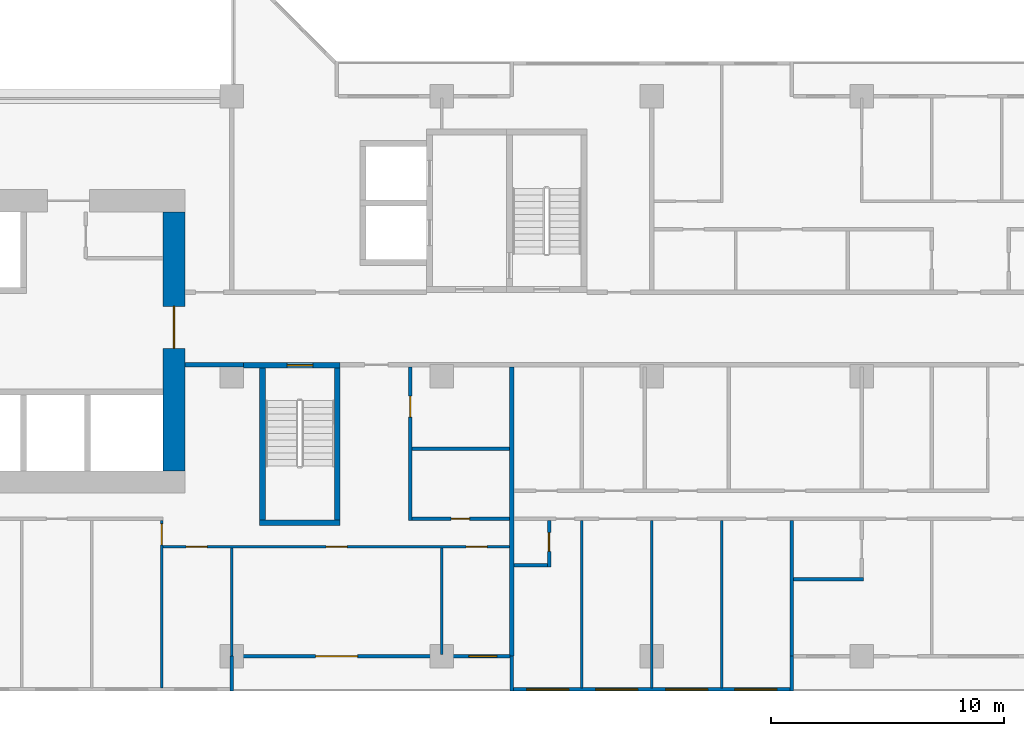
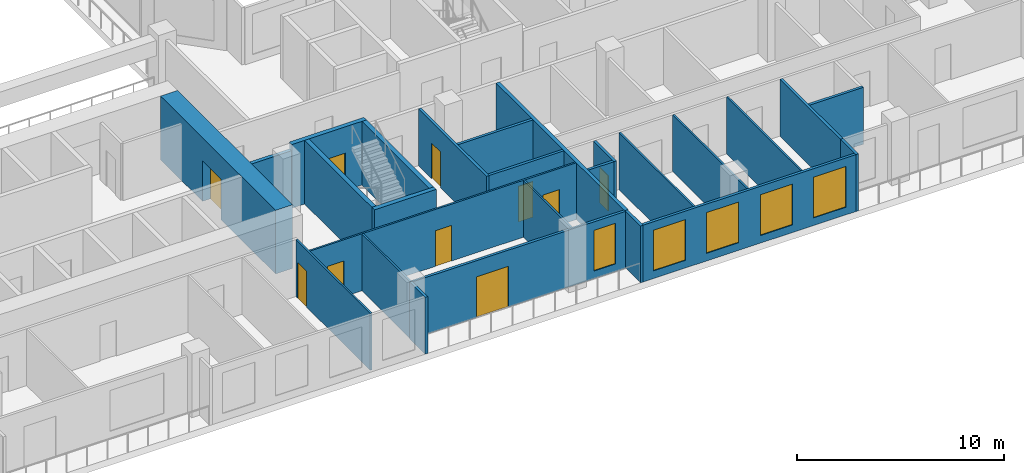
# One storey, part 6 of 15: 26 walls, 10 doors, 5 windows, 15 openings.
"""IFC4 building model written with IfcOpenShell, lengths in metres."""

import ifcopenshell
import ifcopenshell.guid

model = None  # the IFC model being written
_history = None  # IfcOwnerHistory: only IFC2X3 demands one
_inside = {}  # id of a spatial element -> (the spatial element, [elements in it])
_under = {}  # id of a project, library or spatial element -> (it, [spatial elements below it])
_declared = {}  # id of a project -> (the project, [libraries it declares])
_typed = {}  # id of a type object -> (the type object, [elements of that type])
_made_of = {}  # id of a material, layer set ... -> (it, [elements and type objects made of it])


def new_model(schema):
    """Start an empty IFC model of exactly this schema.

    Asked for "IFC4X3", IfcOpenShell would pick the latest addendum, in which some entities
    have other attributes; the version numbers below select the first issue.
    IFC2X3 requires an IfcOwnerHistory on every rooted entity: one is made here for all.
    """
    global model, _history
    if schema == "IFC4X3":
        model = ifcopenshell.file(schema_version=(4, 3, 0, 0))
    else:
        model = ifcopenshell.file(schema=schema)
    _inside.clear()
    _under.clear()
    _declared.clear()
    _typed.clear()
    _made_of.clear()
    _history = None
    if model.schema == "IFC2X3":
        org = make("IfcOrganization", Name="unknown")
        user = make(
            "IfcPersonAndOrganization",
            ThePerson=make("IfcPerson", FamilyName="unknown"),
            TheOrganization=org,
        )
        app = make(
            "IfcApplication",
            ApplicationDeveloper=org,
            Version="unknown",
            ApplicationFullName="unknown",
            ApplicationIdentifier="unknown",
        )
        _history = make(
            "IfcOwnerHistory",
            OwningUser=user,
            OwningApplication=app,
            ChangeAction="ADDED",
            CreationDate=0,
        )
    return model


def make(cls, **values):
    """One entity of the class cls with the attributes given. An attribute that is None is left unset."""
    return model.create_entity(
        cls, **{name: value for name, value in values.items() if value is not None}
    )


def rooted(cls, **values):
    """An entity with a GlobalId (a new one), such as an element, a storey or a relation."""
    return make(cls, GlobalId=ifcopenshell.guid.new(), OwnerHistory=_history, **values)


def si_unit(unit_type, name, prefix=None):
    """IfcSIUnit, for example si_unit("LENGTHUNIT", "METRE", prefix="MILLI")."""
    return make("IfcSIUnit", UnitType=unit_type, Prefix=prefix, Name=name)


def assignment(units):
    """IfcUnitAssignment: the units of a project."""
    return None if units is None else make("IfcUnitAssignment", Units=units)


def point(xyz):
    """IfcCartesianPoint."""
    return None if xyz is None else make("IfcCartesianPoint", Coordinates=xyz)


def direction(xyz):
    """IfcDirection."""
    return None if xyz is None else make("IfcDirection", DirectionRatios=xyz)


def frame(location, z_axis=None, x_axis=None):
    """IfcAxis2Placement3D, a coordinate frame: its origin and axes. An axis left out is left unset."""
    return make(
        "IfcAxis2Placement3D",
        Location=point(location),
        Axis=direction(z_axis),
        RefDirection=direction(x_axis),
    )


def frame_2d(location, x_axis=None):
    """IfcAxis2Placement2D, a coordinate frame in the plane: its origin and x axis."""
    return make(
        "IfcAxis2Placement2D", Location=point(location), RefDirection=direction(x_axis)
    )


def origin():
    """The frame at (0, 0, 0) with its axes left unset."""
    return frame((0.0, 0.0, 0.0))


def place(relative_to, where):
    """IfcLocalPlacement: puts the frame where relative to a parent placement (None: the world)."""
    return make(
        "IfcLocalPlacement", PlacementRelTo=relative_to, RelativePlacement=where
    )


def context(
    kind, dimensions, precision=None, world=None, true_north=None, identifier=None
):
    """IfcGeometricRepresentationContext, for example the 3D "Model" context."""
    return make(
        "IfcGeometricRepresentationContext",
        ContextIdentifier=identifier,
        ContextType=kind,
        CoordinateSpaceDimension=dimensions,
        Precision=precision,
        WorldCoordinateSystem=world,
        TrueNorth=true_north,
    )


def subcontext(parent, identifier, kind, view, scale=None):
    """IfcGeometricRepresentationSubContext, for example "Body" below "Model"."""
    return make(
        "IfcGeometricRepresentationSubContext",
        ContextIdentifier=identifier,
        ContextType=kind,
        ParentContext=parent,
        TargetScale=scale,
        TargetView=view,
    )


def project(units=None, contexts=None):
    """IfcProject with its units and contexts."""
    return rooted(
        "IfcProject",
        Name="project",
        RepresentationContexts=contexts,
        UnitsInContext=assignment(units),
    )


def spatial(cls, under=None, at=None, **own):
    """A site, building, storey or space (cls), placed at a placement, below another one or the project."""
    s = rooted(cls, ObjectPlacement=at, **own)
    if under is not None:
        _under.setdefault(under.id(), (under, []))[1].append(s)
    return s


def profile(cls, at=None, kind="AREA", **sizes):
    """A parametric profile (cls). Its sizes go by their IFC names, for example OverallWidth=200.0."""
    return make(cls, ProfileType=kind, Position=at, **sizes)


def rectangle(**sizes):
    """IfcRectangleProfileDef."""
    return profile("IfcRectangleProfileDef", **sizes)


def extrude(swept, where, along, depth):
    """IfcExtrudedAreaSolid: the profile swept, set in the frame where, extruded along a direction by depth."""
    return make(
        "IfcExtrudedAreaSolid",
        SweptArea=swept,
        Position=where,
        ExtrudedDirection=direction(along),
        Depth=depth,
    )


def shape(context_of_items, identifier, shape_type, items):
    """IfcShapeRepresentation: the items that make up one representation, for example the "Body"."""
    return make(
        "IfcShapeRepresentation",
        ContextOfItems=context_of_items,
        RepresentationIdentifier=identifier,
        RepresentationType=shape_type,
        Items=items,
    )


def material(Name=None, Category=None):
    """IfcMaterial."""
    return make("IfcMaterial", Name=Name, Category=Category)


def layer(
    of_material, thickness, ventilated=None, Name=None, Category=None, Priority=None
):
    """IfcMaterialLayer: one layer of a wall or slab, of a material (None: an air gap)."""
    return make(
        "IfcMaterialLayer",
        Material=of_material,
        LayerThickness=thickness,
        IsVentilated=ventilated,
        Name=Name,
        Category=Category,
        Priority=Priority,
    )


def layer_set(layers, Name=None):
    """IfcMaterialLayerSet."""
    return make("IfcMaterialLayerSet", MaterialLayers=layers, LayerSetName=Name)


def made_of(thing, what):
    """Note that an element or type object is made of a material, layer set ...; save() writes the relation."""
    if what is not None:
        _made_of.setdefault(what.id(), (what, []))[1].append(thing)
    return thing


def type_object(cls, material=None, **own):
    """A type object (cls), such as IfcWallType, which elements share."""
    return made_of(rooted(cls, **own), material)


def element(
    cls,
    number,
    at=None,
    inside=None,
    cuts=None,
    type_object=None,
    material=None,
    context=None,
    identifier="Body",
    shape_type=None,
    held_by="IfcProductDefinitionShape",
    body=None,
    shapes=None,
    **own,
):
    """One element of the class cls, such as IfcWall. Its Tag is "e" and its number.

    at: its placement. inside: the storey or other place that contains it. cuts: it is an
    opening in that element (IfcRelVoidsElement). A single representation is given by context,
    identifier, shape_type and body (its items); several are given by shapes. held_by: the class
    of the entity that holds the representations. save() writes the other relations.
    """
    e = rooted(cls, Tag="e%d" % number, ObjectPlacement=at, **own)
    if body is not None:
        shapes = [shape(context, identifier, shape_type, body)]
    if shapes is not None:
        e.Representation = make(held_by, Representations=shapes)
    if inside is not None:
        _inside.setdefault(inside.id(), (inside, []))[1].append(e)
    if cuts is not None:
        rooted(
            "IfcRelVoidsElement", RelatingBuildingElement=cuts, RelatedOpeningElement=e
        )
    if type_object is not None:
        _typed.setdefault(type_object.id(), (type_object, []))[1].append(e)
    return made_of(e, material)


def fill(opening, filler):
    """IfcRelFillsElement: the door or window that sits in an opening."""
    return rooted(
        "IfcRelFillsElement",
        RelatingOpeningElement=opening,
        RelatedBuildingElement=filler,
    )


def aggregate(whole, parts):
    """IfcRelAggregates: a whole, such as a stair, and the parts it consists of."""
    return rooted("IfcRelAggregates", RelatingObject=whole, RelatedObjects=parts)


def save(model, path):
    """Write the relations noted so far, then the file.

    IfcRelAggregates (storeys below a building ...), IfcRelContainedInSpatialStructure (elements
    in a storey), IfcRelDefinesByType, IfcRelAssociatesMaterial and IfcRelDeclares: one each for
    every whole, place, type object, material and project.
    """
    for whole, parts in _under.values():
        aggregate(whole, parts)
    for where, things in _inside.values():
        rooted(
            "IfcRelContainedInSpatialStructure",
            RelatedElements=things,
            RelatingStructure=where,
        )
    for kind, things in _typed.values():
        rooted("IfcRelDefinesByType", RelatedObjects=things, RelatingType=kind)
    for what, things in _made_of.values():
        rooted("IfcRelAssociatesMaterial", RelatedObjects=things, RelatingMaterial=what)
    for by, libraries in _declared.values():
        rooted("IfcRelDeclares", RelatingContext=by, RelatedDefinitions=libraries)
    model.write(path)


model = new_model("IFC4")

# Units and contexts
model_context = context("Model", 3, precision=1e-05, world=origin(), true_north=direction((0.0, 1.0)))
body_context = subcontext(model_context, "Body", "Model", "MODEL_VIEW")
ifc_project = project(units=[si_unit("LENGTHUNIT", "METRE"), si_unit("AREAUNIT", "SQUARE_METRE"), si_unit("VOLUMEUNIT", "CUBIC_METRE"), si_unit("PLANEANGLEUNIT", "RADIAN"), si_unit("MASSUNIT", "GRAM", prefix="KILO")], contexts=[model_context])

# Site, building, storey
site_placement = place(None, origin())
site = spatial("IfcSite", under=ifc_project, at=site_placement, CompositionType="ELEMENT")
building_placement = place(site_placement, origin())
building = spatial("IfcBuilding", under=site, at=building_placement, Name="Chenar Terraces", CompositionType="ELEMENT")
storey_placement = place(building_placement, frame((0.0, 0.0, 133.14990234375)))
storey = spatial("IfcBuildingStorey", under=building, at=storey_placement, Name="L31", CompositionType="ELEMENT", Elevation=133.14990234375)

# Wall
ifc_material_1 = material(Name="Concrete C70/85", Category="concrete")
ifc_layer_1 = layer(ifc_material_1, 0.25)
ifc_layer_set_1 = layer_set([ifc_layer_1], Name="Concrete C70/85")
wall_type_1 = type_object("IfcWallType", Name="Core wall 250 Concrete C70/85", PredefinedType="SHEAR", material=ifc_layer_set_1)
wall_1_placement = place(storey_placement, frame((37.199951171875, 5.72509765625, 0.0), z_axis=(0.0, 0.0, 1.0), x_axis=(1.0, 0.0, 0.0)))
element("IfcWall", 1, at=wall_1_placement, inside=storey, type_object=wall_type_1, Name="Core wall ST2_S L31", PredefinedType="SHEAR", context=body_context, shape_type="SweptSolid", body=[
    extrude(rectangle(XDim=3.449951171875, YDim=0.25, at=frame_2d((1.72509765625, 0.0))), origin(), (0.0, 0.0, 1.0), 3.75),
])

# Wall, opening, door
wall_2_placement = place(storey_placement, frame((36.5, 12.47509765625, 0.0), z_axis=(0.0, 0.0, 1.0), x_axis=(1.0, 0.0, 0.0)))
wall_2 = element("IfcWall", 2, at=wall_2_placement, inside=storey, type_object=wall_type_1, Name="Core wall ST2_N L31", PredefinedType="SHEAR", context=body_context, shape_type="SweptSolid", body=[
    extrude(rectangle(XDim=4.14990234375, YDim=0.25, at=frame_2d((2.074951171875, 0.0))), origin(), (0.0, 0.0, 1.0), 3.75),
])
opening_1_placement = place(wall_2_placement, frame((1.875, 0.0, 0.0)))
opening_1 = element("IfcOpeningElement", 3, at=opening_1_placement, cuts=wall_2, Name="Opening DL31-C7", PredefinedType="OPENING", context=body_context, shape_type="SweptSolid", body=[
    extrude(rectangle(XDim=1.10009765625, YDim=2.199951171875, at=frame_2d((0.550048828125, 1.10009765625))), frame((0.0, 0.135009765625, 0.0), z_axis=(0.0, -1.0, 0.0), x_axis=(1.0, 0.0, 0.0)), (0.0, 0.0, 1.0), 0.27001953125),
])
ifc_material_2 = material(Name="Steel-framed fire-resisting door leaf", Category="steel")
door_type_1 = type_object("IfcDoorType", Name="Stair fire door FD60 1100 x 2200", OperationType="SINGLE_SWING_LEFT", PredefinedType="DOOR", material=ifc_material_2)
door_1_placement = place(opening_1_placement, frame((1.10009765625, 0.0, 0.0), z_axis=(0.0, 0.0, 1.0), x_axis=(-1.0, 0.0, 0.0)))
door_1 = element("IfcDoor", 4, at=door_1_placement, inside=storey, type_object=door_type_1, Name="Stair door DL31-C7", OperationType="SINGLE_SWING_RIGHT", OverallHeight=2.199951171875, OverallWidth=1.10009765625, PredefinedType="DOOR", context=body_context, shape_type="SweptSolid", body=[
    extrude(rectangle(XDim=1.10009765625, YDim=2.199951171875, at=frame_2d((0.550048828125, 1.10009765625))), frame((0.0, 0.02490234375, 0.0), z_axis=(0.0, -1.0, 0.0), x_axis=(1.0, 0.0, 0.0)), (0.0, 0.0, 1.0), 0.050048828125),
])
fill(opening_1, door_1)

# Walls
for number, where, z_axis, x_axis, name in (
    (5, (37.324951171875, 5.85009765625, 0.0), (0.0, 0.0, 1.0), (0.0, 1.0, 0.0), "Core wall ST2_W L31"),
    (6, (40.52490234375, 5.85009765625, 0.0), (0.0, 0.0, 1.0), (0.0, 1.0, 0.0), "Core wall ST2_E L31"),
):
    element("IfcWall", number, at=place(storey_placement, frame(where, z_axis=z_axis, x_axis=x_axis)), inside=storey, type_object=wall_type_1, Name=name, PredefinedType="SHEAR", context=body_context, shape_type="SweptSolid", body=[
        extrude(rectangle(XDim=6.5, YDim=0.25, at=frame_2d((3.25, 0.0))), origin(), (0.0, 0.0, 1.0), 3.75),
    ])

# Wall, opening, door
ifc_material_3 = material(Name="Concrete C70/85", Category="concrete")
ifc_layer_2 = layer(ifc_material_3, 0.949951171875)
ifc_layer_set_2 = layer_set([ifc_layer_2], Name="Concrete C70/85")
wall_type_2 = type_object("IfcWallType", Name="Core wall 950 Concrete C70/85", PredefinedType="SHEAR", material=ifc_layer_set_2)
wall_3_placement = place(storey_placement, frame((33.52490234375, 7.949951171875, 0.0), z_axis=(0.0, 0.0, 1.0), x_axis=(0.0, 1.0, 0.0)))
wall_3 = element("IfcWall", 7, at=wall_3_placement, inside=storey, type_object=wall_type_2, Name="Core wall E L31", PredefinedType="SHEAR", context=body_context, shape_type="SweptSolid", body=[
    extrude(rectangle(XDim=11.10009765625, YDim=0.949951171875, at=frame_2d((5.550048828125, 0.0))), origin(), (0.0, 0.0, 1.0), 3.75),
])
opening_2_placement = place(wall_3_placement, frame((5.25, 0.0, 0.0)))
opening_2 = element("IfcOpeningElement", 8, at=opening_2_placement, cuts=wall_3, Name="Opening DL31-C1", PredefinedType="OPENING", context=body_context, shape_type="SweptSolid", body=[
    extrude(rectangle(XDim=1.800048828125, YDim=2.39990234375, at=frame_2d((0.89990234375, 1.199951171875))), frame((0.0, 0.48486328125, 0.0), z_axis=(0.0, -1.0, 0.0), x_axis=(1.0, 0.0, 0.0)), (0.0, 0.0, 1.0), 0.969970703125),
])
ifc_material_4 = material(Name="Steel-framed fire-resisting door leaf", Category="steel")
door_type_2 = type_object("IfcDoorType", Name="Core entrance double fire door FD60 1800 x 2400", OperationType="DOUBLE_DOOR_SINGLE_SWING", PredefinedType="DOOR", material=ifc_material_4)
door_2_placement = place(opening_2_placement, origin())
door_2 = element("IfcDoor", 9, at=door_2_placement, inside=storey, type_object=door_type_2, Name="Core door DL31-C1", OperationType="DOUBLE_DOOR_SINGLE_SWING", OverallHeight=2.39990234375, OverallWidth=1.800048828125, PredefinedType="DOOR", context=body_context, shape_type="SweptSolid", body=[
    extrude(rectangle(XDim=1.800048828125, YDim=2.39990234375, at=frame_2d((0.89990234375, 1.199951171875))), frame((0.0, 0.02490234375, 0.0), z_axis=(0.0, -1.0, 0.0), x_axis=(1.0, 0.0, 0.0)), (0.0, 0.0, 1.0), 0.050048828125),
])
fill(opening_2, door_2)

# Wall
ifc_material_5 = material(Name="Gypsum board on steel studs with fire boards", Category="steel")
ifc_layer_3 = layer(ifc_material_5, 0.199951171875)
ifc_layer_set_3 = layer_set([ifc_layer_3], Name="Gypsum board on steel studs with fire boards")
wall_type_3 = type_object("IfcWallType", Name="Corridor wall 200", PredefinedType="PARTITIONING", material=ifc_layer_set_3)
wall_4_placement = place(storey_placement, frame((34.0, 12.5, 0.0), z_axis=(0.0, 0.0, 1.0), x_axis=(1.0, 0.0, 0.0)))
element("IfcWall", 10, at=wall_4_placement, inside=storey, type_object=wall_type_3, Name="Partition L31-062", PredefinedType="PARTITIONING", context=body_context, shape_type="SweptSolid", body=[
    extrude(rectangle(XDim=2.5009765625, YDim=0.199951171875, at=frame_2d((1.25048828125, 0.0))), origin(), (0.0, 0.0, 1.0), 3.35009765625),
])

# Wall, openings, windows
ifc_material_6 = material(Name="Aluminium framed glazing", Category="aluminium")
ifc_layer_4 = layer(ifc_material_6, 0.14990234375)
ifc_layer_set_4 = layer_set([ifc_layer_4], Name="Aluminium framed glazing")
wall_type_4 = type_object("IfcWallType", Name="Glazed flush facade wall 150", PredefinedType="SOLIDWALL", material=ifc_layer_set_4)
wall_5_placement = place(storey_placement, frame((48.074951171875, -1.425048828125, 0.0), z_axis=(0.0, 0.0, 1.0), x_axis=(1.0, 0.0, 0.0)))
wall_5 = element("IfcWall", 11, at=wall_5_placement, inside=storey, type_object=wall_type_4, Name="Glazed flush facade wall", PredefinedType="SOLIDWALL", context=body_context, shape_type="SweptSolid", body=[
    extrude(rectangle(XDim=11.85009765625, YDim=0.14990234375, at=frame_2d((5.925048828125, 0.0))), origin(), (0.0, 0.0, 1.0), 3.35009765625),
])
opening_3_placement = place(wall_5_placement, frame((0.5625, 0.0, 0.449951171875)))
opening_3 = element("IfcOpeningElement", 12, at=opening_3_placement, cuts=wall_5, Name="Opening W180x240", PredefinedType="OPENING", context=body_context, shape_type="SweptSolid", body=[
    extrude(rectangle(XDim=1.800048828125, YDim=2.39990234375, at=frame_2d((0.89990234375, 1.199951171875))), frame((0.0, 0.0849609375, 0.0), z_axis=(0.0, -1.0, 0.0), x_axis=(1.0, 0.0, 0.0)), (0.0, 0.0, 1.0), 0.169921875),
])
opening_4_placement = place(wall_5_placement, frame((3.52490234375, 0.0, 0.449951171875)))
opening_4 = element("IfcOpeningElement", 13, at=opening_4_placement, cuts=wall_5, Name="Opening W180x240", PredefinedType="OPENING", context=body_context, shape_type="SweptSolid", body=[
    extrude(rectangle(XDim=1.800048828125, YDim=2.39990234375, at=frame_2d((0.89990234375, 1.199951171875))), frame((0.0, 0.0849609375, 0.0), z_axis=(0.0, -1.0, 0.0), x_axis=(1.0, 0.0, 0.0)), (0.0, 0.0, 1.0), 0.169921875),
])
opening_5_placement = place(wall_5_placement, frame((6.52490234375, 0.0, 0.449951171875)))
opening_5 = element("IfcOpeningElement", 14, at=opening_5_placement, cuts=wall_5, Name="Opening W180x240", PredefinedType="OPENING", context=body_context, shape_type="SweptSolid", body=[
    extrude(rectangle(XDim=1.800048828125, YDim=2.39990234375, at=frame_2d((0.89990234375, 1.199951171875))), frame((0.0, 0.0849609375, 0.0), z_axis=(0.0, -1.0, 0.0), x_axis=(1.0, 0.0, 0.0)), (0.0, 0.0, 1.0), 0.169921875),
])
opening_6_placement = place(wall_5_placement, frame((9.487548828125, 0.0, 0.449951171875)))
opening_6 = element("IfcOpeningElement", 15, at=opening_6_placement, cuts=wall_5, Name="Opening W180x240", PredefinedType="OPENING", context=body_context, shape_type="SweptSolid", body=[
    extrude(rectangle(XDim=1.800048828125, YDim=2.39990234375, at=frame_2d((0.89990234375, 1.199951171875))), frame((0.0, 0.0849609375, 0.0), z_axis=(0.0, -1.0, 0.0), x_axis=(1.0, 0.0, 0.0)), (0.0, 0.0, 1.0), 0.169921875),
])
ifc_material_7 = material(Name="Low emissivity double glazing, aluminium frame", Category="aluminium")
window_type_1 = type_object("IfcWindowType", Name="Fixed light 1800 x 2400", PartitioningType="SINGLE_PANEL", PredefinedType="WINDOW", material=ifc_material_7)
window_1_placement = place(opening_3_placement, origin())
window_1 = element("IfcWindow", 16, at=window_1_placement, inside=storey, type_object=window_type_1, Name="Window", OverallHeight=2.39990234375, OverallWidth=1.800048828125, PartitioningType="SINGLE_PANEL", PredefinedType="WINDOW", context=body_context, shape_type="SweptSolid", body=[
    extrude(rectangle(XDim=1.800048828125, YDim=2.39990234375, at=frame_2d((0.89990234375, 1.199951171875))), frame((0.0, 0.030029296875, 0.0), z_axis=(0.0, -1.0, 0.0), x_axis=(1.0, 0.0, 0.0)), (0.0, 0.0, 1.0), 0.06005859375),
])
fill(opening_3, window_1)
window_2_placement = place(opening_4_placement, origin())
window_2 = element("IfcWindow", 17, at=window_2_placement, inside=storey, type_object=window_type_1, Name="Window", OverallHeight=2.39990234375, OverallWidth=1.800048828125, PartitioningType="SINGLE_PANEL", PredefinedType="WINDOW", context=body_context, shape_type="SweptSolid", body=[
    extrude(rectangle(XDim=1.800048828125, YDim=2.39990234375, at=frame_2d((0.89990234375, 1.199951171875))), frame((0.0, 0.030029296875, 0.0), z_axis=(0.0, -1.0, 0.0), x_axis=(1.0, 0.0, 0.0)), (0.0, 0.0, 1.0), 0.06005859375),
])
fill(opening_4, window_2)
window_3_placement = place(opening_5_placement, origin())
window_3 = element("IfcWindow", 18, at=window_3_placement, inside=storey, type_object=window_type_1, Name="Window", OverallHeight=2.39990234375, OverallWidth=1.800048828125, PartitioningType="SINGLE_PANEL", PredefinedType="WINDOW", context=body_context, shape_type="SweptSolid", body=[
    extrude(rectangle(XDim=1.800048828125, YDim=2.39990234375, at=frame_2d((0.89990234375, 1.199951171875))), frame((0.0, 0.030029296875, 0.0), z_axis=(0.0, -1.0, 0.0), x_axis=(1.0, 0.0, 0.0)), (0.0, 0.0, 1.0), 0.06005859375),
])
fill(opening_5, window_3)
window_4_placement = place(opening_6_placement, origin())
window_4 = element("IfcWindow", 19, at=window_4_placement, inside=storey, type_object=window_type_1, Name="Window", OverallHeight=2.39990234375, OverallWidth=1.800048828125, PartitioningType="SINGLE_PANEL", PredefinedType="WINDOW", context=body_context, shape_type="SweptSolid", body=[
    extrude(rectangle(XDim=1.800048828125, YDim=2.39990234375, at=frame_2d((0.89990234375, 1.199951171875))), frame((0.0, 0.030029296875, 0.0), z_axis=(0.0, -1.0, 0.0), x_axis=(1.0, 0.0, 0.0)), (0.0, 0.0, 1.0), 0.06005859375),
])
fill(opening_6, window_4)

# Wall, openings, window, door
ifc_material_8 = material(Name="Aluminium framed glazing", Category="aluminium")
ifc_layer_5 = layer(ifc_material_8, 0.14990234375)
ifc_layer_set_5 = layer_set([ifc_layer_5], Name="Aluminium framed glazing")
wall_type_5 = type_object("IfcWallType", Name="Glazed loggia back wall 150", PredefinedType="SOLIDWALL", material=ifc_layer_set_5)
wall_6_placement = place(storey_placement, frame((36.074951171875, 0.0, 0.0), z_axis=(0.0, 0.0, 1.0), x_axis=(1.0, 0.0, 0.0)))
wall_6 = element("IfcWall", 20, at=wall_6_placement, inside=storey, type_object=wall_type_5, Name="Glazed loggia back wall", PredefinedType="SOLIDWALL", context=body_context, shape_type="SweptSolid", body=[
    extrude(rectangle(XDim=11.85009765625, YDim=0.14990234375, at=frame_2d((5.925048828125, 0.0))), origin(), (0.0, 0.0, 1.0), 3.35009765625),
])
opening_7_placement = place(wall_6_placement, frame((3.52490234375, 0.0, 0.0)))
opening_7 = element("IfcOpeningElement", 21, at=opening_7_placement, cuts=wall_6, Name="Opening DL31-G6", PredefinedType="OPENING", context=body_context, shape_type="SweptSolid", body=[
    extrude(rectangle(XDim=1.800048828125, YDim=2.39990234375, at=frame_2d((0.89990234375, 1.199951171875))), frame((0.0, 0.0849609375, 0.0), z_axis=(0.0, -1.0, 0.0), x_axis=(1.0, 0.0, 0.0)), (0.0, 0.0, 1.0), 0.169921875),
])
opening_8_placement = place(wall_6_placement, frame((10.08740234375, 0.0, 0.449951171875)))
opening_8 = element("IfcOpeningElement", 22, at=opening_8_placement, cuts=wall_6, Name="Opening W120x240", PredefinedType="OPENING", context=body_context, shape_type="SweptSolid", body=[
    extrude(rectangle(XDim=1.199951171875, YDim=2.39990234375, at=frame_2d((0.60009765625, 1.199951171875))), frame((0.0, 0.0849609375, 0.0), z_axis=(0.0, -1.0, 0.0), x_axis=(1.0, 0.0, 0.0)), (0.0, 0.0, 1.0), 0.169921875),
])
ifc_material_9 = material(Name="Low emissivity double glazing, aluminium frame", Category="aluminium")
window_type_2 = type_object("IfcWindowType", Name="Fixed light 1200 x 2400", PartitioningType="SINGLE_PANEL", PredefinedType="WINDOW", material=ifc_material_9)
window_5_placement = place(opening_8_placement, origin())
window_5 = element("IfcWindow", 23, at=window_5_placement, inside=storey, type_object=window_type_2, Name="Window", OverallHeight=2.39990234375, OverallWidth=1.199951171875, PartitioningType="SINGLE_PANEL", PredefinedType="WINDOW", context=body_context, shape_type="SweptSolid", body=[
    extrude(rectangle(XDim=1.199951171875, YDim=2.39990234375, at=frame_2d((0.60009765625, 1.199951171875))), frame((0.0, 0.030029296875, 0.0), z_axis=(0.0, -1.0, 0.0), x_axis=(1.0, 0.0, 0.0)), (0.0, 0.0, 1.0), 0.06005859375),
])
fill(opening_8, window_5)
ifc_material_10 = material(Name="Low emissivity double glazing, aluminium frame", Category="aluminium")
door_type_3 = type_object("IfcDoorType", Name="Loggia glazed double door 1800 x 2400", OperationType="DOUBLE_DOOR_SINGLE_SWING", PredefinedType="DOOR", material=ifc_material_10)
door_3_placement = place(opening_7_placement, frame((1.800048828125, 0.0, 0.0), z_axis=(0.0, 0.0, 1.0), x_axis=(-1.0, 0.0, 0.0)))
door_3 = element("IfcDoor", 24, at=door_3_placement, inside=storey, type_object=door_type_3, Name="Loggia glazed door", OperationType="DOUBLE_DOOR_SINGLE_SWING", OverallHeight=2.39990234375, OverallWidth=1.800048828125, PredefinedType="DOOR", context=body_context, shape_type="SweptSolid", body=[
    extrude(rectangle(XDim=1.800048828125, YDim=2.39990234375, at=frame_2d((0.89990234375, 1.199951171875))), frame((0.0, 0.02490234375, 0.0), z_axis=(0.0, -1.0, 0.0), x_axis=(1.0, 0.0, 0.0)), (0.0, 0.0, 1.0), 0.050048828125),
])
fill(opening_7, door_3)

# Wall, opening, door
ifc_material_11 = material(Name="Gypsum board on steel studs", Category="steel")
ifc_layer_6 = layer(ifc_material_11, 0.10009765625)
ifc_layer_set_6 = layer_set([ifc_layer_6], Name="Gypsum board on steel studs")
wall_type_6 = type_object("IfcWallType", Name="Gypsum partition 100", PredefinedType="PARTITIONING", material=ifc_layer_set_6)
wall_7_placement = place(storey_placement, frame((33.0, -1.35107421875, 0.0), z_axis=(0.0, 0.0, 1.0), x_axis=(0.0, 1.0, 0.0)))
wall_7 = element("IfcWall", 25, at=wall_7_placement, inside=storey, type_object=wall_type_6, Name="Partition L31-060", PredefinedType="PARTITIONING", context=body_context, shape_type="SweptSolid", body=[
    extrude(rectangle(XDim=7.176025390625, YDim=0.10009765625, at=frame_2d((3.587890625, 0.0))), origin(), (0.0, 0.0, 1.0), 3.35009765625),
])
opening_9_placement = place(wall_7_placement, frame((6.1259765625, 0.0, 0.0)))
opening_9 = element("IfcOpeningElement", 26, at=opening_9_placement, cuts=wall_7, Name="Opening DL31-57", PredefinedType="OPENING", context=body_context, shape_type="SweptSolid", body=[
    extrude(rectangle(XDim=0.89990234375, YDim=2.10009765625, at=frame_2d((0.449951171875, 1.050048828125))), frame((0.0, 0.06005859375, 0.0), z_axis=(0.0, -1.0, 0.0), x_axis=(1.0, 0.0, 0.0)), (0.0, 0.0, 1.0), 0.1201171875),
])
ifc_material_12 = material(Name="Veneered timber door leaf", Category="wood")
door_type_4 = type_object("IfcDoorType", Name="Door 900 x 2100", OperationType="SINGLE_SWING_LEFT", PredefinedType="DOOR", material=ifc_material_12)
door_4_placement = place(opening_9_placement, origin())
door_4 = element("IfcDoor", 27, at=door_4_placement, inside=storey, type_object=door_type_4, Name="Door DL31-57", OperationType="SINGLE_SWING_RIGHT", OverallHeight=2.10009765625, OverallWidth=0.89990234375, PredefinedType="DOOR", context=body_context, shape_type="SweptSolid", body=[
    extrude(rectangle(XDim=0.89990234375, YDim=2.10009765625, at=frame_2d((0.449951171875, 1.050048828125))), frame((0.0, 0.02490234375, 0.0), z_axis=(0.0, -1.0, 0.0), x_axis=(1.0, 0.0, 0.0)), (0.0, 0.0, 1.0), 0.050048828125),
])
fill(opening_9, door_4)

# Wall, openings, doors
wall_8_placement = place(storey_placement, frame((33.050048828125, 4.699951171875, 0.0), z_axis=(0.0, 0.0, 1.0), x_axis=(1.0, 0.0, 0.0)))
wall_8 = element("IfcWall", 28, at=wall_8_placement, inside=storey, type_object=wall_type_6, Name="Partition L31-061", PredefinedType="PARTITIONING", context=body_context, shape_type="SweptSolid", body=[
    extrude(rectangle(XDim=14.849853515625, YDim=0.10009765625, at=frame_2d((7.4248046875, 0.0))), origin(), (0.0, 0.0, 1.0), 3.35009765625),
])
opening_10_placement = place(wall_8_placement, frame((1.0, 0.0, 0.0)))
opening_10 = element("IfcOpeningElement", 29, at=opening_10_placement, cuts=wall_8, Name="Opening DL31-58", PredefinedType="OPENING", context=body_context, shape_type="SweptSolid", body=[
    extrude(rectangle(XDim=0.89990234375, YDim=2.10009765625, at=frame_2d((0.449951171875, 1.050048828125))), frame((0.0, 0.06005859375, 0.0), z_axis=(0.0, -1.0, 0.0), x_axis=(1.0, 0.0, 0.0)), (0.0, 0.0, 1.0), 0.1201171875),
])
opening_11_placement = place(wall_8_placement, frame((13.0, 0.0, 0.0)))
opening_11 = element("IfcOpeningElement", 30, at=opening_11_placement, cuts=wall_8, Name="Opening DL31-59", PredefinedType="OPENING", context=body_context, shape_type="SweptSolid", body=[
    extrude(rectangle(XDim=0.89990234375, YDim=2.10009765625, at=frame_2d((0.449951171875, 1.050048828125))), frame((0.0, 0.06005859375, 0.0), z_axis=(0.0, -1.0, 0.0), x_axis=(1.0, 0.0, 0.0)), (0.0, 0.0, 1.0), 0.1201171875),
])
opening_12_placement = place(wall_8_placement, frame((7.0, 0.0, 0.0)))
opening_12 = element("IfcOpeningElement", 31, at=opening_12_placement, cuts=wall_8, Name="Opening DL31-67", PredefinedType="OPENING", context=body_context, shape_type="SweptSolid", body=[
    extrude(rectangle(XDim=0.89990234375, YDim=2.10009765625, at=frame_2d((0.449951171875, 1.050048828125))), frame((0.0, 0.06005859375, 0.0), z_axis=(0.0, -1.0, 0.0), x_axis=(1.0, 0.0, 0.0)), (0.0, 0.0, 1.0), 0.1201171875),
])
door_5_placement = place(opening_10_placement, frame((0.89990234375, 0.0, 0.0), z_axis=(0.0, 0.0, 1.0), x_axis=(-1.0, 0.0, 0.0)))
door_5 = element("IfcDoor", 32, at=door_5_placement, inside=storey, type_object=door_type_4, Name="Door DL31-58", OperationType="SINGLE_SWING_LEFT", OverallHeight=2.10009765625, OverallWidth=0.89990234375, PredefinedType="DOOR", context=body_context, shape_type="SweptSolid", body=[
    extrude(rectangle(XDim=0.89990234375, YDim=2.10009765625, at=frame_2d((0.449951171875, 1.050048828125))), frame((0.0, 0.02490234375, 0.0), z_axis=(0.0, -1.0, 0.0), x_axis=(1.0, 0.0, 0.0)), (0.0, 0.0, 1.0), 0.050048828125),
])
fill(opening_10, door_5)
door_6_placement = place(opening_11_placement, frame((0.89990234375, 0.0, 0.0), z_axis=(0.0, 0.0, 1.0), x_axis=(-1.0, 0.0, 0.0)))
door_6 = element("IfcDoor", 33, at=door_6_placement, inside=storey, type_object=door_type_4, Name="Door DL31-59", OperationType="SINGLE_SWING_LEFT", OverallHeight=2.10009765625, OverallWidth=0.89990234375, PredefinedType="DOOR", context=body_context, shape_type="SweptSolid", body=[
    extrude(rectangle(XDim=0.89990234375, YDim=2.10009765625, at=frame_2d((0.449951171875, 1.050048828125))), frame((0.0, 0.02490234375, 0.0), z_axis=(0.0, -1.0, 0.0), x_axis=(1.0, 0.0, 0.0)), (0.0, 0.0, 1.0), 0.050048828125),
])
fill(opening_11, door_6)
door_7_placement = place(opening_12_placement, frame((0.89990234375, 0.0, 0.0), z_axis=(0.0, 0.0, 1.0), x_axis=(-1.0, 0.0, 0.0)))
door_7 = element("IfcDoor", 34, at=door_7_placement, inside=storey, type_object=door_type_4, Name="Door DL31-67", OperationType="SINGLE_SWING_LEFT", OverallHeight=2.10009765625, OverallWidth=0.89990234375, PredefinedType="DOOR", context=body_context, shape_type="SweptSolid", body=[
    extrude(rectangle(XDim=0.89990234375, YDim=2.10009765625, at=frame_2d((0.449951171875, 1.050048828125))), frame((0.0, 0.02490234375, 0.0), z_axis=(0.0, -1.0, 0.0), x_axis=(1.0, 0.0, 0.0)), (0.0, 0.0, 1.0), 0.050048828125),
])
fill(opening_12, door_7)

# Walls
wall_9_placement = place(storey_placement, frame((36.0, 0.0, 0.0), z_axis=(0.0, 0.0, 1.0), x_axis=(0.0, 1.0, 0.0)))
element("IfcWall", 35, at=wall_9_placement, inside=storey, type_object=wall_type_6, Name="Partition L31-064", PredefinedType="PARTITIONING", context=body_context, shape_type="SweptSolid", body=[
    extrude(rectangle(XDim=4.64990234375, YDim=0.10009765625, at=frame_2d((2.324951171875, 0.0))), origin(), (0.0, 0.0, 1.0), 3.35009765625),
])
wall_10_placement = place(storey_placement, frame((45.0, 0.073974609375, 0.0), z_axis=(0.0, 0.0, 1.0), x_axis=(0.0, 1.0, 0.0)))
element("IfcWall", 36, at=wall_10_placement, inside=storey, type_object=wall_type_6, Name="Partition L31-070", PredefinedType="PARTITIONING", context=body_context, shape_type="SweptSolid", body=[
    extrude(rectangle(XDim=4.575927734375, YDim=0.10009765625, at=frame_2d((2.2880859375, 0.0))), origin(), (0.0, 0.0, 1.0), 3.35009765625),
])
for number, where, z_axis, x_axis, name in (
    (37, (51.0, -1.35107421875, 0.0), (0.0, 0.0, 1.0), (0.0, 1.0, 0.0), "Partition L31-077"),
    (38, (54.0, -1.35107421875, 0.0), (0.0, 0.0, 1.0), (0.0, 1.0, 0.0), "Partition L31-081"),
    (39, (57.0, -1.35107421875, 0.0), (0.0, 0.0, 1.0), (0.0, 1.0, 0.0), "Partition L31-085"),
):
    element("IfcWall", number, at=place(storey_placement, frame(where, z_axis=z_axis, x_axis=x_axis)), inside=storey, type_object=wall_type_6, Name=name, PredefinedType="PARTITIONING", context=body_context, shape_type="SweptSolid", body=[
        extrude(rectangle(XDim=7.176025390625, YDim=0.10009765625, at=frame_2d((3.587890625, 0.0))), origin(), (0.0, 0.0, 1.0), 3.35009765625),
    ])
ifc_material_13 = material(Name="Terracotta cladding on insulated backing", Category="masonry")
ifc_layer_7 = layer(ifc_material_13, 0.14990234375)
ifc_layer_set_7 = layer_set([ifc_layer_7], Name="Terracotta cladding on insulated backing")
wall_type_7 = type_object("IfcWallType", Name="Loggia return wall 150", PredefinedType="SOLIDWALL", material=ifc_layer_set_7)
for number, where, z_axis, x_axis, name in (
    (40, (36.0, -1.5, 0.0), (0.0, 0.0, 1.0), (0.0, 1.0, 0.0), "Loggia return wall"),
    (41, (48.0, -1.5, 0.0), (0.0, 0.0, 1.0), (0.0, 1.0, 0.0), "Loggia return wall"),
    (42, (60.0, -1.5, 0.0), (0.0, 0.0, 1.0), (0.0, 1.0, 0.0), "Loggia return wall"),
):
    element("IfcWall", number, at=place(storey_placement, frame(where, z_axis=z_axis, x_axis=x_axis)), inside=storey, type_object=wall_type_7, Name=name, PredefinedType="SOLIDWALL", context=body_context, shape_type="SweptSolid", body=[
        extrude(rectangle(XDim=1.5, YDim=0.14990234375, at=frame_2d((0.75, 0.0))), origin(), (0.0, 0.0, 1.0), 3.35009765625),
    ])
ifc_material_14 = material(Name="Twin gypsum board on steel studs with mineral wool", Category="steel")
ifc_layer_8 = layer(ifc_material_14, 0.199951171875)
ifc_layer_set_8 = layer_set([ifc_layer_8], Name="Twin gypsum board on steel studs with mineral wool")
wall_type_8 = type_object("IfcWallType", Name="Unit demising wall 200", PredefinedType="PARTITIONING", material=ifc_layer_set_8)
wall_11_placement = place(storey_placement, frame((48.0, 0.0, 0.0), z_axis=(0.0, 0.0, 1.0), x_axis=(0.0, 1.0, 0.0)))
element("IfcWall", 43, at=wall_11_placement, inside=storey, type_object=wall_type_8, Name="Partition L31-072", PredefinedType="PARTITIONING", context=body_context, shape_type="SweptSolid", body=[
    extrude(rectangle(XDim=12.39990234375, YDim=0.199951171875, at=frame_2d((6.199951171875, 0.0))), origin(), (0.0, 0.0, 1.0), 3.35009765625),
])

# Wall, opening, door
ifc_material_15 = material(Name="Moisture-resistant gypsum board on steel studs", Category="steel")
ifc_layer_9 = layer(ifc_material_15, 0.14990234375)
ifc_layer_set_9 = layer_set([ifc_layer_9], Name="Moisture-resistant gypsum board on steel studs")
wall_type_9 = type_object("IfcWallType", Name="Wet-room partition 150", PredefinedType="PARTITIONING", material=ifc_layer_set_9)
wall_12_placement = place(storey_placement, frame((43.64990234375, 5.824951171875, 0.0), z_axis=(0.0, 0.0, 1.0), x_axis=(0.0, 1.0, 0.0)))
wall_12 = element("IfcWall", 44, at=wall_12_placement, inside=storey, type_object=wall_type_9, Name="Partition L31-067", PredefinedType="PARTITIONING", context=body_context, shape_type="SweptSolid", body=[
    extrude(rectangle(XDim=6.574951171875, YDim=0.14990234375, at=frame_2d((3.28759765625, 0.0))), origin(), (0.0, 0.0, 1.0), 3.35009765625),
])
opening_13_placement = place(wall_12_placement, frame((4.425048828125, 0.0, 0.0)))
opening_13 = element("IfcOpeningElement", 45, at=opening_13_placement, cuts=wall_12, Name="Opening DL31-65", PredefinedType="OPENING", context=body_context, shape_type="SweptSolid", body=[
    extrude(rectangle(XDim=0.89990234375, YDim=2.10009765625, at=frame_2d((0.449951171875, 1.050048828125))), frame((0.0, 0.0849609375, 0.0), z_axis=(0.0, -1.0, 0.0), x_axis=(1.0, 0.0, 0.0)), (0.0, 0.0, 1.0), 0.169921875),
])
door_8_placement = place(opening_13_placement, frame((0.89990234375, 0.0, 0.0), z_axis=(0.0, 0.0, 1.0), x_axis=(-1.0, 0.0, 0.0)))
door_8 = element("IfcDoor", 46, at=door_8_placement, inside=storey, type_object=door_type_4, Name="Door DL31-65", OperationType="SINGLE_SWING_LEFT", OverallHeight=2.10009765625, OverallWidth=0.89990234375, PredefinedType="DOOR", context=body_context, shape_type="SweptSolid", body=[
    extrude(rectangle(XDim=0.89990234375, YDim=2.10009765625, at=frame_2d((0.449951171875, 1.050048828125))), frame((0.0, 0.02490234375, 0.0), z_axis=(0.0, -1.0, 0.0), x_axis=(1.0, 0.0, 0.0)), (0.0, 0.0, 1.0), 0.050048828125),
])
fill(opening_13, door_8)

wall_13_placement = place(storey_placement, frame((43.72509765625, 5.89990234375, 0.0), z_axis=(0.0, 0.0, 1.0), x_axis=(1.0, 0.0, 0.0)))
wall_13 = element("IfcWall", 47, at=wall_13_placement, inside=storey, type_object=wall_type_9, Name="Partition L31-068", PredefinedType="PARTITIONING", context=body_context, shape_type="SweptSolid", body=[
    extrude(rectangle(XDim=4.1748046875, YDim=0.14990234375, at=frame_2d((2.08740234375, 0.0))), origin(), (0.0, 0.0, 1.0), 3.35009765625),
])
opening_14_placement = place(wall_13_placement, frame((1.675048828125, 0.0, 0.0)))
opening_14 = element("IfcOpeningElement", 48, at=opening_14_placement, cuts=wall_13, Name="Opening DL31-55", PredefinedType="OPENING", context=body_context, shape_type="SweptSolid", body=[
    extrude(rectangle(XDim=0.800048828125, YDim=2.10009765625, at=frame_2d((0.39990234375, 1.050048828125))), frame((0.0, 0.0849609375, 0.0), z_axis=(0.0, -1.0, 0.0), x_axis=(1.0, 0.0, 0.0)), (0.0, 0.0, 1.0), 0.169921875),
])
ifc_material_16 = material(Name="Veneered timber door leaf", Category="wood")
door_type_5 = type_object("IfcDoorType", Name="Door 800 x 2100", OperationType="SINGLE_SWING_LEFT", PredefinedType="DOOR", material=ifc_material_16)
door_9_placement = place(opening_14_placement, origin())
door_9 = element("IfcDoor", 49, at=door_9_placement, inside=storey, type_object=door_type_5, Name="Door DL31-55", OperationType="SINGLE_SWING_LEFT", OverallHeight=2.10009765625, OverallWidth=0.800048828125, PredefinedType="DOOR", context=body_context, shape_type="SweptSolid", body=[
    extrude(rectangle(XDim=0.800048828125, YDim=2.10009765625, at=frame_2d((0.39990234375, 1.050048828125))), frame((0.0, 0.02490234375, 0.0), z_axis=(0.0, -1.0, 0.0), x_axis=(1.0, 0.0, 0.0)), (0.0, 0.0, 1.0), 0.050048828125),
])
fill(opening_14, door_9)

# Walls
wall_14_placement = place(storey_placement, frame((43.72509765625, 8.89990234375, 0.0), z_axis=(0.0, 0.0, 1.0), x_axis=(1.0, 0.0, 0.0)))
element("IfcWall", 50, at=wall_14_placement, inside=storey, type_object=wall_type_9, Name="Partition L31-069", PredefinedType="PARTITIONING", context=body_context, shape_type="SweptSolid", body=[
    extrude(rectangle(XDim=4.1748046875, YDim=0.14990234375, at=frame_2d((2.08740234375, 0.0))), origin(), (0.0, 0.0, 1.0), 3.35009765625),
])
wall_15_placement = place(storey_placement, frame((48.10009765625, 3.89990234375, 0.0), z_axis=(0.0, 0.0, 1.0), x_axis=(1.0, 0.0, 0.0)))
element("IfcWall", 51, at=wall_15_placement, inside=storey, type_object=wall_type_9, Name="Partition L31-073", PredefinedType="PARTITIONING", context=body_context, shape_type="SweptSolid", body=[
    extrude(rectangle(XDim=1.4248046875, YDim=0.14990234375, at=frame_2d((0.71240234375, 0.0))), origin(), (0.0, 0.0, 1.0), 3.35009765625),
])

# Wall, opening, door
wall_16_placement = place(storey_placement, frame((49.60009765625, 3.824951171875, 0.0), z_axis=(0.0, 0.0, 1.0), x_axis=(0.0, 1.0, 0.0)))
wall_16 = element("IfcWall", 52, at=wall_16_placement, inside=storey, type_object=wall_type_9, Name="Partition L31-076", PredefinedType="PARTITIONING", context=body_context, shape_type="SweptSolid", body=[
    extrude(rectangle(XDim=2.0, YDim=0.14990234375, at=frame_2d((1.0, 0.0))), origin(), (0.0, 0.0, 1.0), 3.35009765625),
])
opening_15_placement = place(wall_16_placement, frame((0.675048828125, 0.0, 0.0)))
opening_15 = element("IfcOpeningElement", 53, at=opening_15_placement, cuts=wall_16, Name="Opening DL31-23", PredefinedType="OPENING", context=body_context, shape_type="SweptSolid", body=[
    extrude(rectangle(XDim=0.800048828125, YDim=2.10009765625, at=frame_2d((0.39990234375, 1.050048828125))), frame((0.0, 0.0849609375, 0.0), z_axis=(0.0, -1.0, 0.0), x_axis=(1.0, 0.0, 0.0)), (0.0, 0.0, 1.0), 0.169921875),
])
door_10_placement = place(opening_15_placement, origin())
door_10 = element("IfcDoor", 54, at=door_10_placement, inside=storey, type_object=door_type_5, Name="Door DL31-23", OperationType="SINGLE_SWING_LEFT", OverallHeight=2.10009765625, OverallWidth=0.800048828125, PredefinedType="DOOR", context=body_context, shape_type="SweptSolid", body=[
    extrude(rectangle(XDim=0.800048828125, YDim=2.10009765625, at=frame_2d((0.39990234375, 1.050048828125))), frame((0.0, 0.02490234375, 0.0), z_axis=(0.0, -1.0, 0.0), x_axis=(1.0, 0.0, 0.0)), (0.0, 0.0, 1.0), 0.050048828125),
])
fill(opening_15, door_10)

# Walls
wall_17_placement = place(storey_placement, frame((60.0, 0.0, 0.0), z_axis=(0.0, 0.0, 1.0), x_axis=(0.0, 1.0, 0.0)))
element("IfcWall", 55, at=wall_17_placement, inside=storey, type_object=wall_type_9, Name="Partition L31-089", PredefinedType="PARTITIONING", context=body_context, shape_type="SweptSolid", body=[
    extrude(rectangle(XDim=5.824951171875, YDim=0.14990234375, at=frame_2d((2.91259765625, 0.0))), origin(), (0.0, 0.0, 1.0), 3.35009765625),
])
wall_18_placement = place(storey_placement, frame((60.074951171875, 3.300048828125, 0.0), z_axis=(0.0, 0.0, 1.0), x_axis=(1.0, 0.0, 0.0)))
element("IfcWall", 56, at=wall_18_placement, inside=storey, type_object=wall_type_9, Name="Partition L31-090", PredefinedType="PARTITIONING", context=body_context, shape_type="SweptSolid", body=[
    extrude(rectangle(XDim=3.0, YDim=0.14990234375, at=frame_2d((1.5, 0.0))), origin(), (0.0, 0.0, 1.0), 3.35009765625),
])

save(model, "model.ifc")
